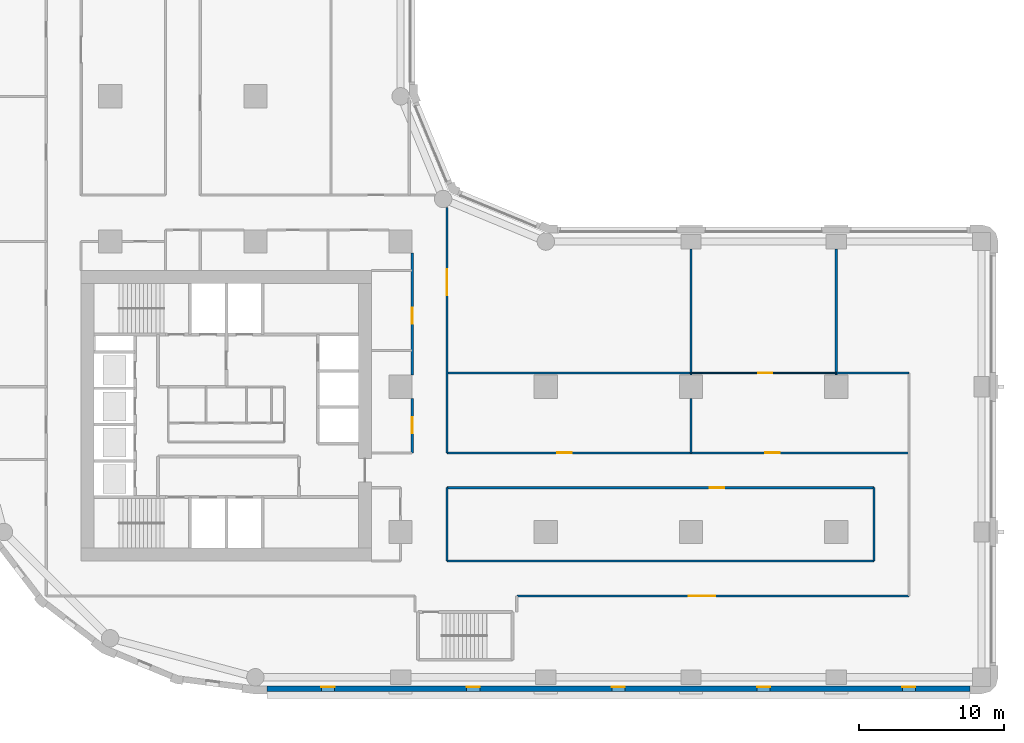
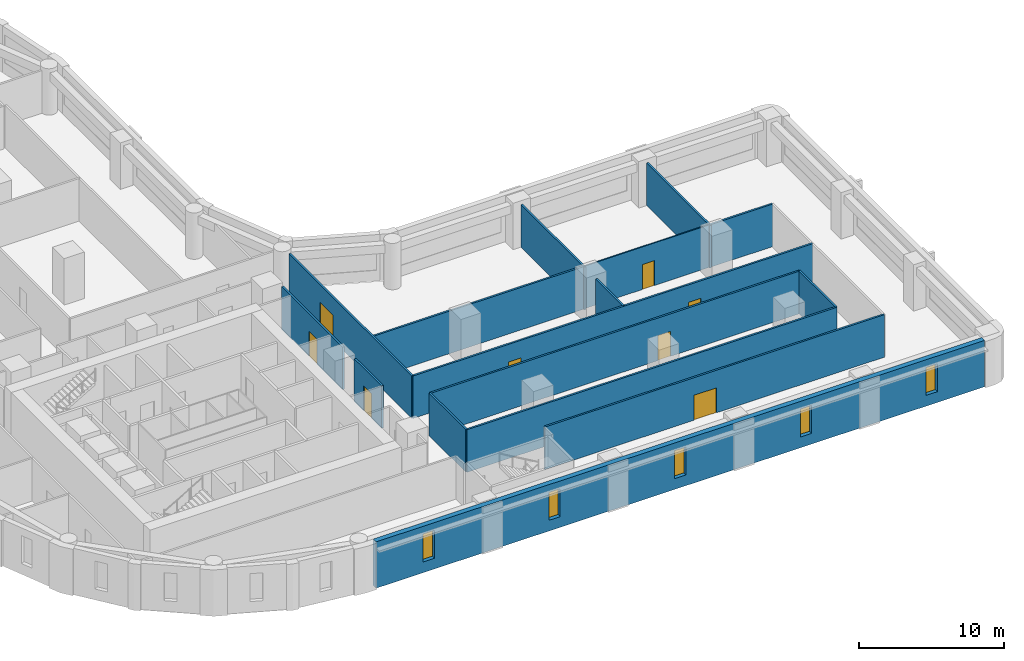
# One storey, part 4 of 10: 16 walls, 8 doors, 5 windows, 13 openings.
"""IFC4 building model written with IfcOpenShell, lengths in metres."""

from ifc_helpers import new_model, si_unit, direction, frame, frame_2d, origin, place, context, subcontext, project, spatial, rectangle, extrude, material, layer, layer_set, type_object, element, fill, save


model = new_model("IFC4")

# Units and contexts
model_context = context("Model", 3, precision=1e-05, world=origin(), true_north=direction((0.0, 1.0)))
body_context = subcontext(model_context, "Body", "Model", "MODEL_VIEW")
ifc_project = project(units=[si_unit("LENGTHUNIT", "METRE"), si_unit("AREAUNIT", "SQUARE_METRE"), si_unit("VOLUMEUNIT", "CUBIC_METRE"), si_unit("PLANEANGLEUNIT", "RADIAN"), si_unit("MASSUNIT", "GRAM", prefix="KILO")], contexts=[model_context])

# Site, building, storey
site_placement = place(None, origin())
site = spatial("IfcSite", under=ifc_project, at=site_placement, CompositionType="ELEMENT")
building_placement = place(site_placement, origin())
building = spatial("IfcBuilding", under=site, at=building_placement, Name="Qaws Garden Tower", CompositionType="ELEMENT")
storey_placement = place(building_placement, frame((0.0, 0.0, 19.800048828125)))
storey = spatial("IfcBuildingStorey", under=building, at=storey_placement, Name="L04", CompositionType="ELEMENT", Elevation=19.800048828125)

# Wall, openings, windows
ifc_material_1 = material(Name="Clay facing brick masonry", Category="masonry")
ifc_layer_1 = layer(ifc_material_1, 0.39990234375)
ifc_layer_set_1 = layer_set([ifc_layer_1], Name="Clay facing brick masonry")
wall_type_1 = type_object("IfcWallType", Name="Brick infill wall 400", PredefinedType="SOLIDWALL", material=ifc_layer_set_1)
wall_1_placement = place(storey_placement, frame((20.800048828125, -0.800048828125, 0.0), z_axis=(0.0, 0.0, 1.0), x_axis=(1.0, 0.0, 0.0)))
wall_1 = element("IfcWall", 1, at=wall_1_placement, inside=storey, type_object=wall_type_1, Name="E-L04-infill-00", PredefinedType="SOLIDWALL", context=body_context, shape_type="SweptSolid", body=[
    extrude(rectangle(XDim=48.39990234375, YDim=0.39990234375, at=frame_2d((24.199951171875, 0.0))), origin(), (0.0, 0.0, 1.0), 3.89990234375),
])
opening_1_placement = place(wall_1_placement, frame((3.75, 0.0, 0.89990234375)))
opening_1 = element("IfcOpeningElement", 2, at=opening_1_placement, cuts=wall_1, Name="Opening W09", PredefinedType="OPENING", context=body_context, shape_type="SweptSolid", body=[
    extrude(rectangle(XDim=0.89990234375, YDim=2.35009765625, at=frame_2d((0.449951171875, 1.175048828125))), frame((0.0, 0.2099609375, 0.0), z_axis=(0.0, -1.0, 0.0), x_axis=(1.0, 0.0, 0.0)), (0.0, 0.0, 1.0), 0.419921875),
])
opening_2_placement = place(wall_1_placement, frame((13.75, 0.0, 0.89990234375)))
opening_2 = element("IfcOpeningElement", 3, at=opening_2_placement, cuts=wall_1, Name="Opening W09", PredefinedType="OPENING", context=body_context, shape_type="SweptSolid", body=[
    extrude(rectangle(XDim=0.89990234375, YDim=2.35009765625, at=frame_2d((0.449951171875, 1.175048828125))), frame((0.0, 0.2099609375, 0.0), z_axis=(0.0, -1.0, 0.0), x_axis=(1.0, 0.0, 0.0)), (0.0, 0.0, 1.0), 0.419921875),
])
opening_3_placement = place(wall_1_placement, frame((23.75, 0.0, 0.89990234375)))
opening_3 = element("IfcOpeningElement", 4, at=opening_3_placement, cuts=wall_1, Name="Opening W09", PredefinedType="OPENING", context=body_context, shape_type="SweptSolid", body=[
    extrude(rectangle(XDim=0.89990234375, YDim=2.35009765625, at=frame_2d((0.449951171875, 1.175048828125))), frame((0.0, 0.2099609375, 0.0), z_axis=(0.0, -1.0, 0.0), x_axis=(1.0, 0.0, 0.0)), (0.0, 0.0, 1.0), 0.419921875),
])
opening_4_placement = place(wall_1_placement, frame((33.75, 0.0, 0.89990234375)))
opening_4 = element("IfcOpeningElement", 5, at=opening_4_placement, cuts=wall_1, Name="Opening W09", PredefinedType="OPENING", context=body_context, shape_type="SweptSolid", body=[
    extrude(rectangle(XDim=0.89990234375, YDim=2.35009765625, at=frame_2d((0.449951171875, 1.175048828125))), frame((0.0, 0.2099609375, 0.0), z_axis=(0.0, -1.0, 0.0), x_axis=(1.0, 0.0, 0.0)), (0.0, 0.0, 1.0), 0.419921875),
])
opening_5_placement = place(wall_1_placement, frame((43.75, 0.0, 0.89990234375)))
opening_5 = element("IfcOpeningElement", 6, at=opening_5_placement, cuts=wall_1, Name="Opening W09", PredefinedType="OPENING", context=body_context, shape_type="SweptSolid", body=[
    extrude(rectangle(XDim=0.89990234375, YDim=2.35009765625, at=frame_2d((0.449951171875, 1.175048828125))), frame((0.0, 0.2099609375, 0.0), z_axis=(0.0, -1.0, 0.0), x_axis=(1.0, 0.0, 0.0)), (0.0, 0.0, 1.0), 0.419921875),
])
ifc_material_2 = material(Name="Aluminium framed window, clear glazing", Category="aluminium")
window_type = type_object("IfcWindowType", Name="Slit window 900 x 2350", PartitioningType="SINGLE_PANEL", PredefinedType="WINDOW", material=ifc_material_2)
window_1_placement = place(opening_1_placement, origin())
window_1 = element("IfcWindow", 7, at=window_1_placement, inside=storey, type_object=window_type, Name="E-L04-window-00-0", OverallHeight=2.35009765625, OverallWidth=0.89990234375, PartitioningType="SINGLE_PANEL", PredefinedType="WINDOW", context=body_context, shape_type="SweptSolid", body=[
    extrude(rectangle(XDim=0.89990234375, YDim=2.35009765625, at=frame_2d((0.449951171875, 1.175048828125))), frame((0.0, 0.159912109375, 0.0), z_axis=(0.0, -1.0, 0.0), x_axis=(1.0, 0.0, 0.0)), (0.0, 0.0, 1.0), 0.06005859375),
])
fill(opening_1, window_1)
window_2_placement = place(opening_2_placement, origin())
window_2 = element("IfcWindow", 8, at=window_2_placement, inside=storey, type_object=window_type, Name="E-L04-window-01-0", OverallHeight=2.35009765625, OverallWidth=0.89990234375, PartitioningType="SINGLE_PANEL", PredefinedType="WINDOW", context=body_context, shape_type="SweptSolid", body=[
    extrude(rectangle(XDim=0.89990234375, YDim=2.35009765625, at=frame_2d((0.449951171875, 1.175048828125))), frame((0.0, 0.159912109375, 0.0), z_axis=(0.0, -1.0, 0.0), x_axis=(1.0, 0.0, 0.0)), (0.0, 0.0, 1.0), 0.06005859375),
])
fill(opening_2, window_2)
window_3_placement = place(opening_3_placement, origin())
window_3 = element("IfcWindow", 9, at=window_3_placement, inside=storey, type_object=window_type, Name="E-L04-window-02-0", OverallHeight=2.35009765625, OverallWidth=0.89990234375, PartitioningType="SINGLE_PANEL", PredefinedType="WINDOW", context=body_context, shape_type="SweptSolid", body=[
    extrude(rectangle(XDim=0.89990234375, YDim=2.35009765625, at=frame_2d((0.449951171875, 1.175048828125))), frame((0.0, 0.159912109375, 0.0), z_axis=(0.0, -1.0, 0.0), x_axis=(1.0, 0.0, 0.0)), (0.0, 0.0, 1.0), 0.06005859375),
])
fill(opening_3, window_3)
window_4_placement = place(opening_4_placement, origin())
window_4 = element("IfcWindow", 10, at=window_4_placement, inside=storey, type_object=window_type, Name="E-L04-window-03-0", OverallHeight=2.35009765625, OverallWidth=0.89990234375, PartitioningType="SINGLE_PANEL", PredefinedType="WINDOW", context=body_context, shape_type="SweptSolid", body=[
    extrude(rectangle(XDim=0.89990234375, YDim=2.35009765625, at=frame_2d((0.449951171875, 1.175048828125))), frame((0.0, 0.159912109375, 0.0), z_axis=(0.0, -1.0, 0.0), x_axis=(1.0, 0.0, 0.0)), (0.0, 0.0, 1.0), 0.06005859375),
])
fill(opening_4, window_4)
window_5_placement = place(opening_5_placement, origin())
window_5 = element("IfcWindow", 11, at=window_5_placement, inside=storey, type_object=window_type, Name="E-L04-window-04-0", OverallHeight=2.35009765625, OverallWidth=0.89990234375, PartitioningType="SINGLE_PANEL", PredefinedType="WINDOW", context=body_context, shape_type="SweptSolid", body=[
    extrude(rectangle(XDim=0.89990234375, YDim=2.35009765625, at=frame_2d((0.449951171875, 1.175048828125))), frame((0.0, 0.159912109375, 0.0), z_axis=(0.0, -1.0, 0.0), x_axis=(1.0, 0.0, 0.0)), (0.0, 0.0, 1.0), 0.06005859375),
])
fill(opening_5, window_5)

# Wall, opening, door
ifc_material_3 = material(Name="Gypsum board partition")
ifc_layer_2 = layer(ifc_material_3, 0.10009765625)
ifc_layer_set_2 = layer_set([ifc_layer_2], Name="Gypsum board partition")
wall_type_2 = type_object("IfcWallType", Name="PARTITION 100", PredefinedType="PARTITIONING", material=ifc_layer_set_2)
wall_2_placement = place(storey_placement, frame((50.0, 20.949951171875, 0.0), z_axis=(0.0, 0.0, 1.0), x_axis=(1.0, 0.0, 0.0)))
wall_2 = element("IfcWall", 12, at=wall_2_placement, inside=storey, type_object=wall_type_2, Name="O-L04-wall-001", PredefinedType="PARTITIONING", context=body_context, shape_type="SweptSolid", body=[
    extrude(rectangle(XDim=10.0, YDim=0.10009765625, at=frame_2d((5.0, 0.0))), origin(), (0.0, 0.0, 1.0), 3.579833984375),
])
opening_6_placement = place(wall_2_placement, frame((4.625, 0.0, 0.0)))
opening_6 = element("IfcOpeningElement", 13, at=opening_6_placement, cuts=wall_2, Name="Opening A126", PredefinedType="OPENING", context=body_context, shape_type="SweptSolid", body=[
    extrude(rectangle(XDim=0.949951171875, YDim=2.10009765625, at=frame_2d((0.47509765625, 1.050048828125))), frame((0.0, 0.06005859375, 0.0), z_axis=(0.0, -1.0, 0.0), x_axis=(1.0, 0.0, 0.0)), (0.0, 0.0, 1.0), 0.1201171875),
])
ifc_material_4 = material(Name="Timber and glass door leaf", Category="wood")
door_type_1 = type_object("IfcDoorType", Name="GLAZED DOOR 950 X 2100", OperationType="SINGLE_SWING_LEFT", PredefinedType="DOOR", material=ifc_material_4)
door_1_placement = place(opening_6_placement, frame((0.949951171875, 0.0, 0.0), z_axis=(0.0, 0.0, 1.0), x_axis=(-1.0, 0.0, 0.0)))
door_1 = element("IfcDoor", 14, at=door_1_placement, inside=storey, type_object=door_type_1, Name="O-L04-door-026", OperationType="SINGLE_SWING_RIGHT", OverallHeight=2.10009765625, OverallWidth=0.949951171875, PredefinedType="DOOR", context=body_context, shape_type="SweptSolid", body=[
    extrude(rectangle(XDim=0.949951171875, YDim=2.10009765625, at=frame_2d((0.47509765625, 1.050048828125))), frame((0.0, 0.02490234375, 0.0), z_axis=(0.0, -1.0, 0.0), x_axis=(1.0, 0.0, 0.0)), (0.0, 0.0, 1.0), 0.050048828125),
])
fill(opening_6, door_1)

ifc_material_5 = material(Name="Gypsum board partition")
ifc_layer_3 = layer(ifc_material_5, 0.14990234375)
ifc_layer_set_3 = layer_set([ifc_layer_3], Name="Gypsum board partition")
wall_type_3 = type_object("IfcWallType", Name="PARTITION 150 EI 60", PredefinedType="PARTITIONING", material=ifc_layer_set_3)
wall_3_placement = place(storey_placement, frame((30.800048828125, 15.449951171875, 0.0), z_axis=(0.0, 0.0, 1.0), x_axis=(0.0, 1.0, 0.0)))
wall_3 = element("IfcWall", 15, at=wall_3_placement, inside=storey, type_object=wall_type_3, Name="O-L04-wall-017", PredefinedType="PARTITIONING", context=body_context, shape_type="SweptSolid", body=[
    extrude(rectangle(XDim=3.75, YDim=0.14990234375, at=frame_2d((1.875, 0.0))), origin(), (0.0, 0.0, 1.0), 3.579833984375),
])
opening_7_placement = place(wall_3_placement, frame((1.35009765625, 0.0, 0.0)))
opening_7 = element("IfcOpeningElement", 16, at=opening_7_placement, cuts=wall_3, Name="Opening A105", PredefinedType="OPENING", context=body_context, shape_type="SweptSolid", body=[
    extrude(rectangle(XDim=1.10009765625, YDim=2.10009765625, at=frame_2d((0.550048828125, 1.050048828125))), frame((0.0, 0.0849609375, 0.0), z_axis=(0.0, -1.0, 0.0), x_axis=(1.0, 0.0, 0.0)), (0.0, 0.0, 1.0), 0.169921875),
])
ifc_material_6 = material(Name="Timber door leaf", Category="wood")
door_type_2 = type_object("IfcDoorType", Name="SERVICE ROOM DOOR 1100 X 2100", OperationType="SINGLE_SWING_LEFT", PredefinedType="DOOR", material=ifc_material_6)
door_2_placement = place(opening_7_placement, origin())
door_2 = element("IfcDoor", 17, at=door_2_placement, inside=storey, type_object=door_type_2, Name="O-L04-door-005", OperationType="SINGLE_SWING_RIGHT", OverallHeight=2.10009765625, OverallWidth=1.10009765625, PredefinedType="DOOR", context=body_context, shape_type="SweptSolid", body=[
    extrude(rectangle(XDim=1.10009765625, YDim=2.10009765625, at=frame_2d((0.550048828125, 1.050048828125))), frame((0.0, 0.02490234375, 0.0), z_axis=(0.0, -1.0, 0.0), x_axis=(1.0, 0.0, 0.0)), (0.0, 0.0, 1.0), 0.050048828125),
])
fill(opening_7, door_2)

wall_4_placement = place(storey_placement, frame((30.800048828125, 20.800048828125, 0.0), z_axis=(0.0, 0.0, 1.0), x_axis=(0.0, 1.0, 0.0)))
wall_4 = element("IfcWall", 18, at=wall_4_placement, inside=storey, type_object=wall_type_3, Name="O-L04-wall-018", PredefinedType="PARTITIONING", context=body_context, shape_type="SweptSolid", body=[
    extrude(rectangle(XDim=8.39990234375, YDim=0.14990234375, at=frame_2d((4.199951171875, 0.0))), origin(), (0.0, 0.0, 1.0), 3.579833984375),
])
opening_8_placement = place(wall_4_placement, frame((3.550048828125, 0.0, 0.0)))
opening_8 = element("IfcOpeningElement", 19, at=opening_8_placement, cuts=wall_4, Name="Opening A106", PredefinedType="OPENING", context=body_context, shape_type="SweptSolid", body=[
    extrude(rectangle(XDim=1.10009765625, YDim=2.10009765625, at=frame_2d((0.550048828125, 1.050048828125))), frame((0.0, 0.0849609375, 0.0), z_axis=(0.0, -1.0, 0.0), x_axis=(1.0, 0.0, 0.0)), (0.0, 0.0, 1.0), 0.169921875),
])
door_3_placement = place(opening_8_placement, origin())
door_3 = element("IfcDoor", 20, at=door_3_placement, inside=storey, type_object=door_type_2, Name="O-L04-door-006", OperationType="SINGLE_SWING_RIGHT", OverallHeight=2.10009765625, OverallWidth=1.10009765625, PredefinedType="DOOR", context=body_context, shape_type="SweptSolid", body=[
    extrude(rectangle(XDim=1.10009765625, YDim=2.10009765625, at=frame_2d((0.550048828125, 1.050048828125))), frame((0.0, 0.02490234375, 0.0), z_axis=(0.0, -1.0, 0.0), x_axis=(1.0, 0.0, 0.0)), (0.0, 0.0, 1.0), 0.050048828125),
])
fill(opening_8, door_3)

# Wall
wall_5_placement = place(storey_placement, frame((33.199951171875, 8.0, 0.0), z_axis=(0.0, 0.0, 1.0), x_axis=(0.0, 1.0, 0.0)))
element("IfcWall", 21, at=wall_5_placement, inside=storey, type_object=wall_type_3, Name="O-L04-wall-020", PredefinedType="PARTITIONING", context=body_context, shape_type="SweptSolid", body=[
    extrude(rectangle(XDim=5.050048828125, YDim=0.14990234375, at=frame_2d((2.52490234375, 0.0))), origin(), (0.0, 0.0, 1.0), 3.579833984375),
])

# Wall, opening, door
wall_6_placement = place(storey_placement, frame((33.199951171875, 15.449951171875, 0.0), z_axis=(0.0, 0.0, 1.0), x_axis=(0.0, 1.0, 0.0)))
wall_6 = element("IfcWall", 22, at=wall_6_placement, inside=storey, type_object=wall_type_3, Name="O-L04-wall-021", PredefinedType="PARTITIONING", context=body_context, shape_type="SweptSolid", body=[
    extrude(rectangle(XDim=16.912109375, YDim=0.14990234375, at=frame_2d((8.4560546875, 0.0))), origin(), (0.0, 0.0, 1.0), 3.579833984375),
])
opening_9_placement = place(wall_6_placement, frame((10.85009765625, 0.0, 0.0)))
opening_9 = element("IfcOpeningElement", 23, at=opening_9_placement, cuts=wall_6, Name="Opening A103", PredefinedType="OPENING", context=body_context, shape_type="SweptSolid", body=[
    extrude(rectangle(XDim=1.800048828125, YDim=2.10009765625, at=frame_2d((0.89990234375, 1.050048828125))), frame((0.0, 0.0849609375, 0.0), z_axis=(0.0, -1.0, 0.0), x_axis=(1.0, 0.0, 0.0)), (0.0, 0.0, 1.0), 0.169921875),
])
ifc_material_7 = material(Name="Timber door leaf", Category="wood")
door_type_3 = type_object("IfcDoorType", Name="DOUBLE DOOR 1800 X 2100", OperationType="DOUBLE_DOOR_SINGLE_SWING", PredefinedType="DOOR", material=ifc_material_7)
door_4_placement = place(opening_9_placement, frame((1.800048828125, 0.0, 0.0), z_axis=(0.0, 0.0, 1.0), x_axis=(-1.0, 0.0, 0.0)))
door_4 = element("IfcDoor", 24, at=door_4_placement, inside=storey, type_object=door_type_3, Name="O-L04-door-003", OperationType="DOUBLE_DOOR_SINGLE_SWING", OverallHeight=2.10009765625, OverallWidth=1.800048828125, PredefinedType="DOOR", context=body_context, shape_type="SweptSolid", body=[
    extrude(rectangle(XDim=1.800048828125, YDim=2.10009765625, at=frame_2d((0.89990234375, 1.050048828125))), frame((0.0, 0.02490234375, 0.0), z_axis=(0.0, -1.0, 0.0), x_axis=(1.0, 0.0, 0.0)), (0.0, 0.0, 1.0), 0.050048828125),
])
fill(opening_9, door_4)

# Walls
wall_7_placement = place(storey_placement, frame((50.0, 15.449951171875, 0.0), z_axis=(0.0, 0.0, 1.0), x_axis=(0.0, 1.0, 0.0)))
element("IfcWall", 25, at=wall_7_placement, inside=storey, type_object=wall_type_3, Name="O-L04-wall-023", PredefinedType="PARTITIONING", context=body_context, shape_type="SweptSolid", body=[
    extrude(rectangle(XDim=3.75, YDim=0.14990234375, at=frame_2d((1.875, 0.0))), origin(), (0.0, 0.0, 1.0), 3.579833984375),
])
for number, where, z_axis, x_axis, name in (
    (26, (50.0, 20.800048828125, 0.0), (0.0, 0.0, 1.0), (0.0, 1.0, 0.0), "O-L04-wall-024"),
    (27, (60.0, 20.800048828125, 0.0), (0.0, 0.0, 1.0), (0.0, 1.0, 0.0), "O-L04-wall-025"),
):
    element("IfcWall", number, at=place(storey_placement, frame(where, z_axis=z_axis, x_axis=x_axis)), inside=storey, type_object=wall_type_3, Name=name, PredefinedType="PARTITIONING", context=body_context, shape_type="SweptSolid", body=[
        extrude(rectangle(XDim=8.699951171875, YDim=0.14990234375, at=frame_2d((4.35009765625, 0.0))), origin(), (0.0, 0.0, 1.0), 3.579833984375),
    ])
wall_8_placement = place(storey_placement, frame((62.60009765625, 8.0, 0.0), z_axis=(0.0, 0.0, 1.0), x_axis=(0.0, 1.0, 0.0)))
element("IfcWall", 28, at=wall_8_placement, inside=storey, type_object=wall_type_3, Name="O-L04-wall-026", PredefinedType="PARTITIONING", context=body_context, shape_type="SweptSolid", body=[
    extrude(rectangle(XDim=5.050048828125, YDim=0.14990234375, at=frame_2d((2.52490234375, 0.0))), origin(), (0.0, 0.0, 1.0), 3.579833984375),
])

# Wall, opening, door
wall_9_placement = place(storey_placement, frame((38.0, 5.60009765625, 0.0), z_axis=(0.0, 0.0, 1.0), x_axis=(1.0, 0.0, 0.0)))
wall_9 = element("IfcWall", 29, at=wall_9_placement, inside=storey, type_object=wall_type_3, Name="O-L04-wall-029", PredefinedType="PARTITIONING", context=body_context, shape_type="SweptSolid", body=[
    extrude(rectangle(XDim=27.0, YDim=0.14990234375, at=frame_2d((13.5, 0.0))), origin(), (0.0, 0.0, 1.0), 3.579833984375),
])
opening_10_placement = place(wall_9_placement, frame((11.85009765625, 0.0, 0.0)))
opening_10 = element("IfcOpeningElement", 30, at=opening_10_placement, cuts=wall_9, Name="Opening A122", PredefinedType="OPENING", context=body_context, shape_type="SweptSolid", body=[
    extrude(rectangle(XDim=1.800048828125, YDim=2.10009765625, at=frame_2d((0.89990234375, 1.050048828125))), frame((0.0, 0.0849609375, 0.0), z_axis=(0.0, -1.0, 0.0), x_axis=(1.0, 0.0, 0.0)), (0.0, 0.0, 1.0), 0.169921875),
])
door_5_placement = place(opening_10_placement, frame((1.800048828125, 0.0, 0.0), z_axis=(0.0, 0.0, 1.0), x_axis=(-1.0, 0.0, 0.0)))
door_5 = element("IfcDoor", 31, at=door_5_placement, inside=storey, type_object=door_type_3, Name="O-L04-door-022", OperationType="DOUBLE_DOOR_SINGLE_SWING", OverallHeight=2.10009765625, OverallWidth=1.800048828125, PredefinedType="DOOR", context=body_context, shape_type="SweptSolid", body=[
    extrude(rectangle(XDim=1.800048828125, YDim=2.10009765625, at=frame_2d((0.89990234375, 1.050048828125))), frame((0.0, 0.02490234375, 0.0), z_axis=(0.0, -1.0, 0.0), x_axis=(1.0, 0.0, 0.0)), (0.0, 0.0, 1.0), 0.050048828125),
])
fill(opening_10, door_5)

# Wall
wall_10_placement = place(storey_placement, frame((33.199951171875, 8.0, 0.0), z_axis=(0.0, 0.0, 1.0), x_axis=(1.0, 0.0, 0.0)))
element("IfcWall", 32, at=wall_10_placement, inside=storey, type_object=wall_type_3, Name="O-L04-wall-031", PredefinedType="PARTITIONING", context=body_context, shape_type="SweptSolid", body=[
    extrude(rectangle(XDim=29.400146484375, YDim=0.14990234375, at=frame_2d((14.7001953125, 0.0))), origin(), (0.0, 0.0, 1.0), 3.579833984375),
])

# Wall, opening, door
wall_11_placement = place(storey_placement, frame((33.199951171875, 13.050048828125, 0.0), z_axis=(0.0, 0.0, 1.0), x_axis=(1.0, 0.0, 0.0)))
wall_11 = element("IfcWall", 33, at=wall_11_placement, inside=storey, type_object=wall_type_3, Name="O-L04-wall-033", PredefinedType="PARTITIONING", context=body_context, shape_type="SweptSolid", body=[
    extrude(rectangle(XDim=29.400146484375, YDim=0.14990234375, at=frame_2d((14.7001953125, 0.0))), origin(), (0.0, 0.0, 1.0), 3.579833984375),
])
opening_11_placement = place(wall_11_placement, frame((18.10009765625, 0.0, 0.0)))
opening_11 = element("IfcOpeningElement", 34, at=opening_11_placement, cuts=wall_11, Name="Opening A123", PredefinedType="OPENING", context=body_context, shape_type="SweptSolid", body=[
    extrude(rectangle(XDim=1.0, YDim=2.10009765625, at=frame_2d((0.5, 1.050048828125))), frame((0.0, 0.0849609375, 0.0), z_axis=(0.0, -1.0, 0.0), x_axis=(1.0, 0.0, 0.0)), (0.0, 0.0, 1.0), 0.169921875),
])
ifc_material_8 = material(Name="Timber door leaf", Category="wood")
door_type_4 = type_object("IfcDoorType", Name="TENANCY ENTRANCE DOOR 1000 X 2100", OperationType="SINGLE_SWING_LEFT", PredefinedType="DOOR", material=ifc_material_8)
door_6_placement = place(opening_11_placement, frame((1.0, 0.0, 0.0), z_axis=(0.0, 0.0, 1.0), x_axis=(-1.0, 0.0, 0.0)))
door_6 = element("IfcDoor", 35, at=door_6_placement, inside=storey, type_object=door_type_4, Name="O-L04-door-023", OperationType="SINGLE_SWING_RIGHT", OverallHeight=2.10009765625, OverallWidth=1.0, PredefinedType="DOOR", context=body_context, shape_type="SweptSolid", body=[
    extrude(rectangle(XDim=1.0, YDim=2.10009765625, at=frame_2d((0.5, 1.050048828125))), frame((0.0, 0.02490234375, 0.0), z_axis=(0.0, -1.0, 0.0), x_axis=(1.0, 0.0, 0.0)), (0.0, 0.0, 1.0), 0.050048828125),
])
fill(opening_11, door_6)

# Wall, openings, doors
wall_12_placement = place(storey_placement, frame((33.199951171875, 15.449951171875, 0.0), z_axis=(0.0, 0.0, 1.0), x_axis=(1.0, 0.0, 0.0)))
wall_12 = element("IfcWall", 36, at=wall_12_placement, inside=storey, type_object=wall_type_3, Name="O-L04-wall-036", PredefinedType="PARTITIONING", context=body_context, shape_type="SweptSolid", body=[
    extrude(rectangle(XDim=31.800048828125, YDim=0.14990234375, at=frame_2d((15.89990234375, 0.0))), origin(), (0.0, 0.0, 1.0), 3.579833984375),
])
opening_12_placement = place(wall_12_placement, frame((7.60009765625, 0.0, 0.0)))
opening_12 = element("IfcOpeningElement", 37, at=opening_12_placement, cuts=wall_12, Name="Opening A124", PredefinedType="OPENING", context=body_context, shape_type="SweptSolid", body=[
    extrude(rectangle(XDim=1.0, YDim=2.10009765625, at=frame_2d((0.5, 1.050048828125))), frame((0.0, 0.0849609375, 0.0), z_axis=(0.0, -1.0, 0.0), x_axis=(1.0, 0.0, 0.0)), (0.0, 0.0, 1.0), 0.169921875),
])
opening_13_placement = place(wall_12_placement, frame((21.89990234375, 0.0, 0.0)))
opening_13 = element("IfcOpeningElement", 38, at=opening_13_placement, cuts=wall_12, Name="Opening A125", PredefinedType="OPENING", context=body_context, shape_type="SweptSolid", body=[
    extrude(rectangle(XDim=1.0, YDim=2.10009765625, at=frame_2d((0.5, 1.050048828125))), frame((0.0, 0.0849609375, 0.0), z_axis=(0.0, -1.0, 0.0), x_axis=(1.0, 0.0, 0.0)), (0.0, 0.0, 1.0), 0.169921875),
])
door_7_placement = place(opening_12_placement, origin())
door_7 = element("IfcDoor", 39, at=door_7_placement, inside=storey, type_object=door_type_4, Name="O-L04-door-024", OperationType="SINGLE_SWING_LEFT", OverallHeight=2.10009765625, OverallWidth=1.0, PredefinedType="DOOR", context=body_context, shape_type="SweptSolid", body=[
    extrude(rectangle(XDim=1.0, YDim=2.10009765625, at=frame_2d((0.5, 1.050048828125))), frame((0.0, 0.02490234375, 0.0), z_axis=(0.0, -1.0, 0.0), x_axis=(1.0, 0.0, 0.0)), (0.0, 0.0, 1.0), 0.050048828125),
])
fill(opening_12, door_7)
door_8_placement = place(opening_13_placement, origin())
door_8 = element("IfcDoor", 40, at=door_8_placement, inside=storey, type_object=door_type_4, Name="O-L04-door-025", OperationType="SINGLE_SWING_LEFT", OverallHeight=2.10009765625, OverallWidth=1.0, PredefinedType="DOOR", context=body_context, shape_type="SweptSolid", body=[
    extrude(rectangle(XDim=1.0, YDim=2.10009765625, at=frame_2d((0.5, 1.050048828125))), frame((0.0, 0.02490234375, 0.0), z_axis=(0.0, -1.0, 0.0), x_axis=(1.0, 0.0, 0.0)), (0.0, 0.0, 1.0), 0.050048828125),
])
fill(opening_13, door_8)

# Walls
wall_13_placement = place(storey_placement, frame((33.199951171875, 20.949951171875, 0.0), z_axis=(0.0, 0.0, 1.0), x_axis=(1.0, 0.0, 0.0)))
element("IfcWall", 41, at=wall_13_placement, inside=storey, type_object=wall_type_3, Name="O-L04-wall-038", PredefinedType="PARTITIONING", context=body_context, shape_type="SweptSolid", body=[
    extrude(rectangle(XDim=16.800048828125, YDim=0.14990234375, at=frame_2d((8.39990234375, 0.0))), origin(), (0.0, 0.0, 1.0), 3.579833984375),
])
wall_14_placement = place(storey_placement, frame((60.0, 20.949951171875, 0.0), z_axis=(0.0, 0.0, 1.0), x_axis=(1.0, 0.0, 0.0)))
element("IfcWall", 42, at=wall_14_placement, inside=storey, type_object=wall_type_3, Name="O-L04-wall-039", PredefinedType="PARTITIONING", context=body_context, shape_type="SweptSolid", body=[
    extrude(rectangle(XDim=5.0, YDim=0.14990234375, at=frame_2d((2.5, 0.0))), origin(), (0.0, 0.0, 1.0), 3.579833984375),
])

save(model, "model.ifc")
